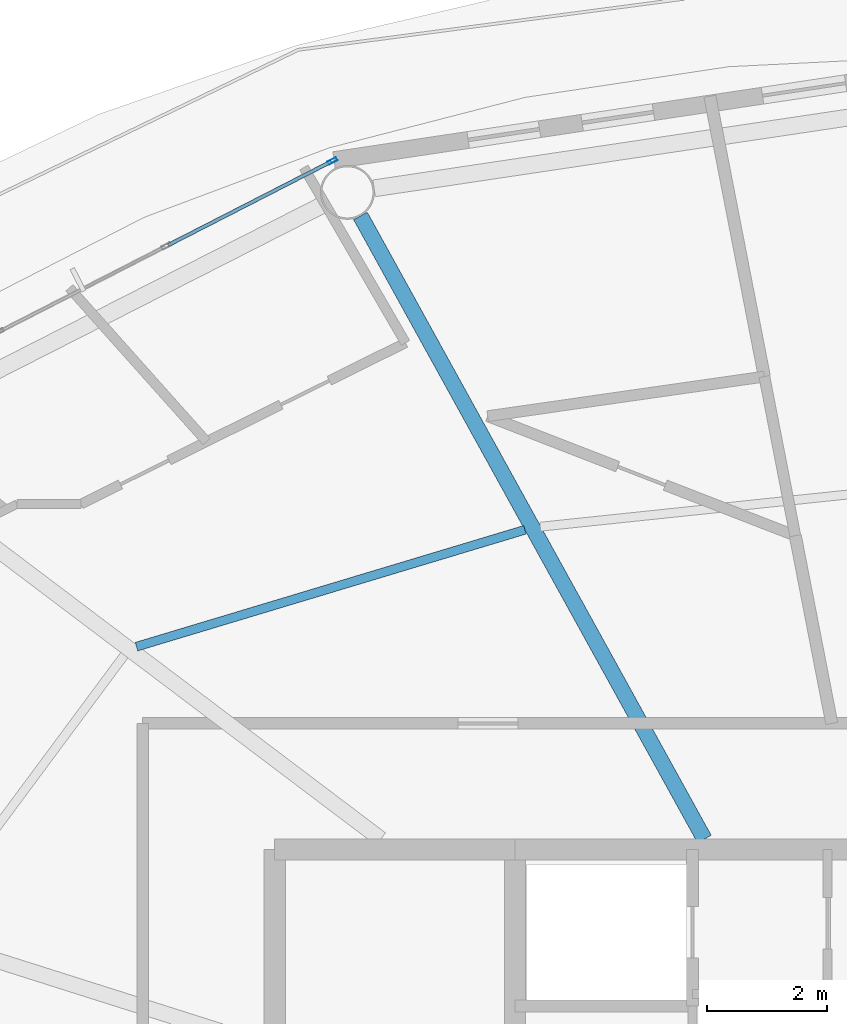
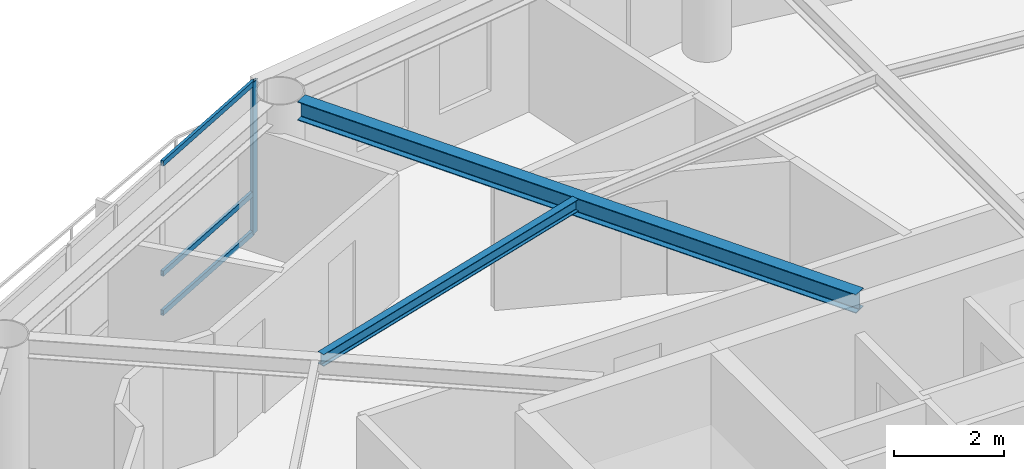
# One storey, part 9 of 21: 4 members, 2 beams, 1 element without a shape of its own.
"""IFC4 building model written with IfcOpenShell, lengths in metres."""

from ifc_helpers import new_model, si_unit, direction, frame, origin, origin_2d, place, context, subcontext, project, spatial, hollow_rectangle, i_section, extrude, material, layer, layer_set, material_profile, profile_set, type_object, element, aggregate, save


model = new_model("IFC4")

# Units and contexts
model_context = context("Model", 3, precision=1e-05, world=origin(), true_north=direction((0.0, 1.0)))
body_context = subcontext(model_context, "Body", "Model", "MODEL_VIEW")
ifc_project = project(units=[si_unit("LENGTHUNIT", "METRE"), si_unit("AREAUNIT", "SQUARE_METRE"), si_unit("VOLUMEUNIT", "CUBIC_METRE"), si_unit("PLANEANGLEUNIT", "RADIAN"), si_unit("MASSUNIT", "GRAM", prefix="KILO")], contexts=[model_context])

# Site, building, storey
site_placement = place(None, origin())
site = spatial("IfcSite", under=ifc_project, at=site_placement, CompositionType="ELEMENT")
building_placement = place(site_placement, origin())
building = spatial("IfcBuilding", under=site, at=building_placement, Name="Sarneth Arch Tower", CompositionType="ELEMENT")
storey_placement = place(building_placement, frame((0.0, 0.0, 309.0)))
storey = spatial("IfcBuildingStorey", under=building, at=storey_placement, Name="L80", CompositionType="ELEMENT", Elevation=309.0)

# Beams
ifc_material_1 = material(Name="Steel S355", Category="steel")
ifc_material_profile_1 = material_profile(ifc_material_1, i_section(OverallWidth=0.14794921875, OverallDepth=0.26611328125, WebThickness=0.007568359375, FlangeThickness=0.012939453125, FilletRadius=0.012939453125, at=origin_2d()), Name="W250x44.8")
ifc_profile_set_1 = profile_set([ifc_material_profile_1], Name="Steel S355")
beam_type_1 = type_object("IfcBeamType", Name="BM-JOIST-250", PredefinedType="JOIST", material=ifc_profile_set_1)
beam_1_placement = place(storey_placement, frame((41.163818359375, 54.122314453125, 3.237060546875), z_axis=(-0.95760703602, -0.288077705776, 0.0), x_axis=(0.288077705776, -0.95760703602, 0.0)))
element("IfcBeam", 1, at=beam_1_placement, inside=storey, type_object=beam_type_1, Name="L80 Secondary floor joist 06", PredefinedType="JOIST", context=body_context, shape_type="SweptSolid", body=[
    extrude(i_section(OverallWidth=0.14794921875, OverallDepth=0.26611328125, WebThickness=0.007568359375, FlangeThickness=0.012939453125, FilletRadius=0.012939453125, at=origin_2d()), origin(), (0.0, 0.0, 1.0), 6.7509765625),
])
ifc_material_2 = material(Name="Steel S355", Category="steel")
ifc_material_profile_2 = material_profile(ifc_material_2, i_section(OverallWidth=0.260009765625, OverallDepth=0.4150390625, WebThickness=0.010009765625, FlangeThickness=0.016845703125, FilletRadius=0.01611328125, at=origin_2d()), Name="W410x100")
ifc_profile_set_2 = profile_set([ifc_material_profile_2], Name="Steel S355")
beam_type_2 = type_object("IfcBeamType", Name="BM-RAD-410A", PredefinedType="BEAM", material=ifc_profile_set_2)
beam_2_placement = place(storey_placement, frame((44.150146484375, 48.97509765625, 3.16259765625), z_axis=(-0.483229367873, 0.875493790969, 0.0), x_axis=(-0.875493790969, -0.483229367873, 0.0)))
element("IfcBeam", 2, at=beam_2_placement, inside=storey, type_object=beam_type_2, Name="L80 Radial floor girder 06", PredefinedType="BEAM", context=body_context, shape_type="SweptSolid", body=[
    extrude(i_section(OverallWidth=0.260009765625, OverallDepth=0.4150390625, WebThickness=0.010009765625, FlangeThickness=0.016845703125, FilletRadius=0.01611328125, at=origin_2d()), origin(), (0.0, 0.0, 1.0), 11.843994140625),
])

# Curtain wall, members
ifc_material_3 = material(Name="Anodised aluminium Type AA25 and solar-control low-e laminated IGU", Category="aluminium")
ifc_layer = layer(ifc_material_3, 0.179931640625)
ifc_layer_set = layer_set([ifc_layer], Name="Anodised aluminium Type AA25 and solar-control low-e laminated IGU")
curtain_wall_type = type_object("IfcCurtainWallType", Name="CW-RES-HIGH", PredefinedType="NOTDEFINED", material=ifc_layer_set)
curtain_wall_placement = place(storey_placement, origin())
curtain_wall = element("IfcCurtainWall", 3, at=curtain_wall_placement, inside=storey, type_object=curtain_wall_type, Name="L80 Unitised curtain wall facet 06", PredefinedType="NOTDEFINED")
ifc_material_4 = material(Name="Anodised Aluminium 6063-T6", Category="aluminium")
ifc_material_profile_3 = material_profile(ifc_material_4, hollow_rectangle(XDim=0.06005859375, YDim=0.159912109375, WallThickness=0.00390625, at=origin_2d()), Name="AL-MULL-160x60x4")
ifc_profile_set_3 = profile_set([ifc_material_profile_3], Name="Anodised Aluminium 6063-T6")
member_type_1 = type_object("IfcMemberType", Name="CW-MULLION", PredefinedType="MULLION", material=ifc_profile_set_3)
member_1_placement = place(storey_placement, frame((37.960693359375, 60.2607421875, 0.0), z_axis=(0.0, 0.0, 1.0), x_axis=(0.455941901753, -0.890009540525, 0.0)))
member_1 = element("IfcMember", 4, at=member_1_placement, type_object=member_type_1, Name="CW-SYS-6 mullion 1", PredefinedType="MULLION", context=body_context, shape_type="SweptSolid", body=[
    extrude(hollow_rectangle(XDim=0.06005859375, YDim=0.159912109375, WallThickness=0.00390625, at=origin_2d()), origin(), (0.0, 0.0, 1.0), 3.3701171875),
])
ifc_material_5 = material(Name="Anodised Aluminium 6063-T6", Category="aluminium")
ifc_material_profile_4 = material_profile(ifc_material_5, hollow_rectangle(XDim=0.06005859375, YDim=0.1201171875, WallThickness=0.00390625, at=origin_2d()), Name="AL-TRAN-120x60x4")
ifc_profile_set_4 = profile_set([ifc_material_profile_4], Name="Anodised Aluminium 6063-T6")
member_type_2 = type_object("IfcMemberType", Name="CW-TRANSOM", PredefinedType="USERDEFINED", material=ifc_profile_set_4)
member_2_placement = place(storey_placement, frame((37.933837890625, 60.2470703125, 0.030029296875), z_axis=(-0.889973523166, -0.456012201662, 0.0), x_axis=(0.456012201662, -0.889973523166, 0.0)))
member_2 = element("IfcMember", 5, at=member_2_placement, type_object=member_type_2, Name="CW-SYS-6 transom 1.1", ObjectType="TRANSOM", PredefinedType="USERDEFINED", context=body_context, shape_type="SweptSolid", body=[
    extrude(hollow_rectangle(XDim=0.06005859375, YDim=0.1201171875, WallThickness=0.00390625, at=origin_2d()), origin(), (0.0, 0.0, 1.0), 3.044677734375),
])
member_3_placement = place(storey_placement, frame((37.933837890625, 60.2470703125, 0.89990234375), z_axis=(-0.889973523166, -0.456012201662, 0.0), x_axis=(0.456012201662, -0.889973523166, 0.0)))
member_3 = element("IfcMember", 6, at=member_3_placement, type_object=member_type_2, Name="CW-SYS-6 transom 1.2", ObjectType="TRANSOM", PredefinedType="USERDEFINED", context=body_context, shape_type="SweptSolid", body=[
    extrude(hollow_rectangle(XDim=0.06005859375, YDim=0.1201171875, WallThickness=0.00390625, at=origin_2d()), origin(), (0.0, 0.0, 1.0), 3.044677734375),
])
member_4_placement = place(storey_placement, frame((37.933837890625, 60.2470703125, 3.340087890625), z_axis=(-0.889973523166, -0.456012201662, 0.0), x_axis=(0.456012201662, -0.889973523166, 0.0)))
member_4 = element("IfcMember", 7, at=member_4_placement, type_object=member_type_2, Name="CW-SYS-6 transom 1.3", ObjectType="TRANSOM", PredefinedType="USERDEFINED", context=body_context, shape_type="SweptSolid", body=[
    extrude(hollow_rectangle(XDim=0.06005859375, YDim=0.1201171875, WallThickness=0.00390625, at=origin_2d()), origin(), (0.0, 0.0, 1.0), 3.044677734375),
])
aggregate(curtain_wall, [member_1, member_2, member_3, member_4])

save(model, "model.ifc")
